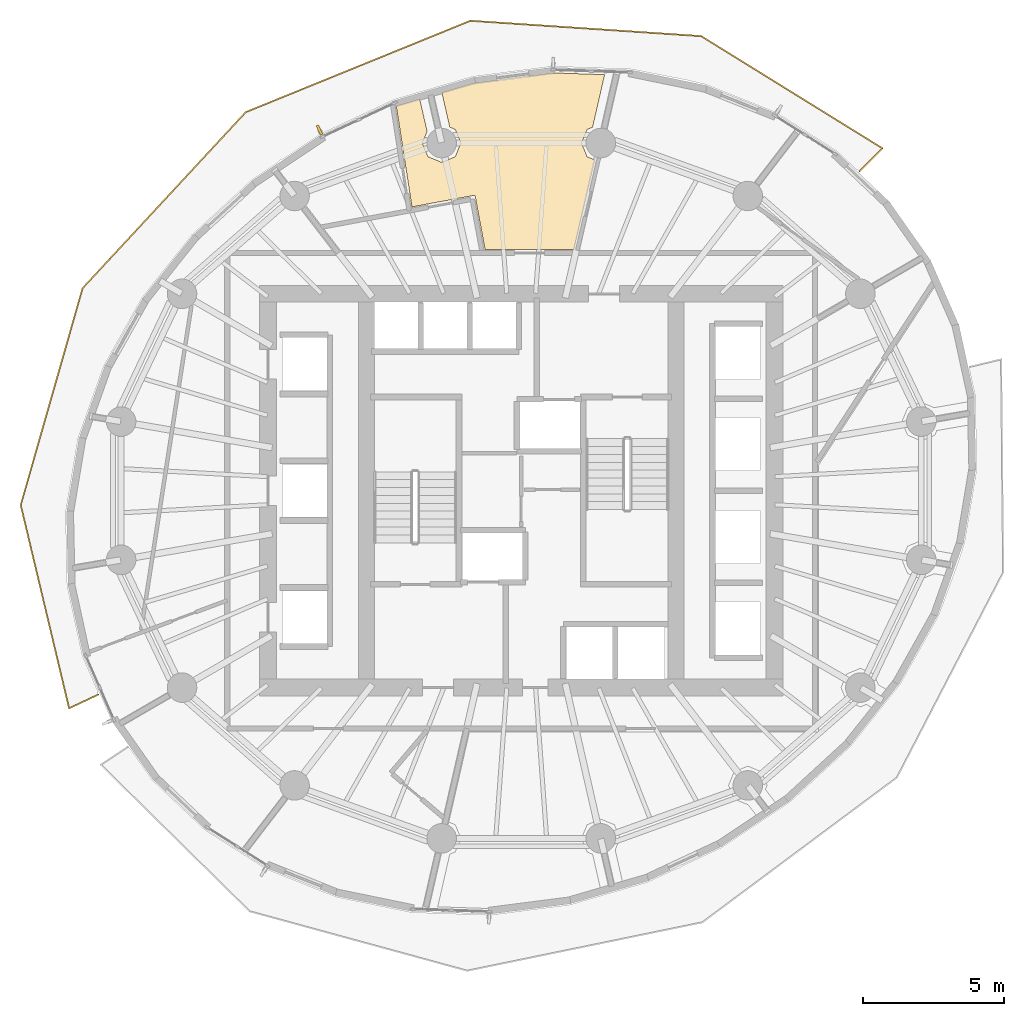
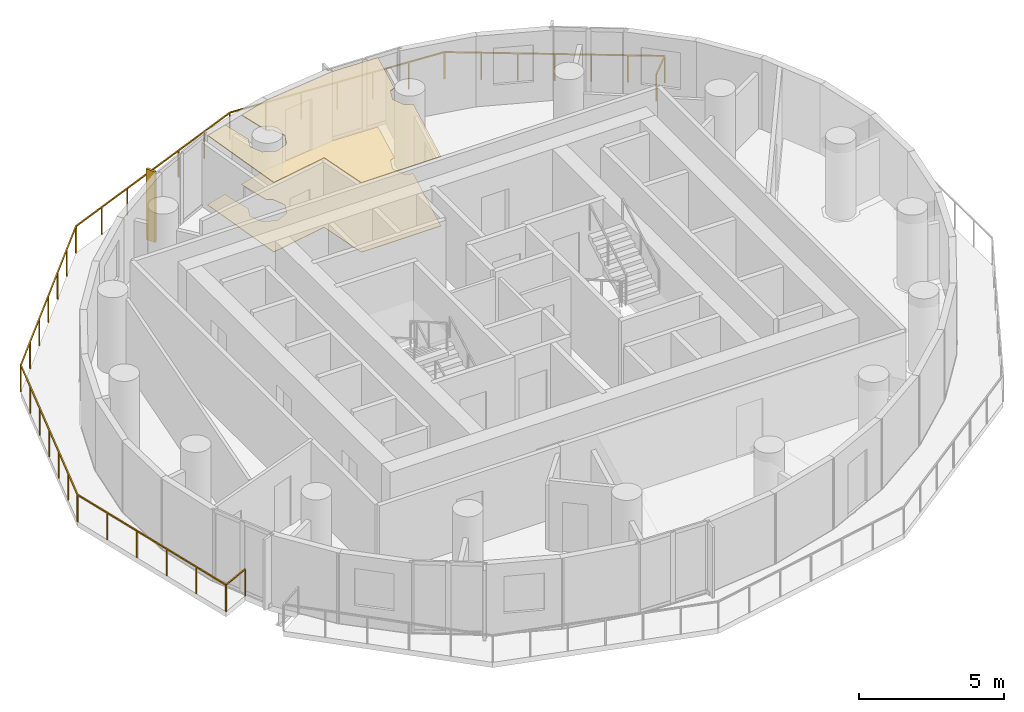
# One storey, part 12 of 13: 2 coverings, 1 railing, 1 shading device.
"""IFC4 building model written with IfcOpenShell, lengths in metres."""

from ifc_helpers import new_model, si_unit, direction, frame, origin, origin_2d, place, context, subcontext, project, spatial, polyline, rectangle, outline, extrude, material, layer, layer_set, type_object, element, save


model = new_model("IFC4")

# Units and contexts
model_context = context("Model", 3, precision=1e-05, world=origin(), true_north=direction((0.0, 1.0)))
body_context = subcontext(model_context, "Body", "Model", "MODEL_VIEW")
ifc_project = project(units=[si_unit("LENGTHUNIT", "METRE"), si_unit("AREAUNIT", "SQUARE_METRE"), si_unit("VOLUMEUNIT", "CUBIC_METRE"), si_unit("PLANEANGLEUNIT", "RADIAN"), si_unit("MASSUNIT", "GRAM", prefix="KILO")], contexts=[model_context])

# Site, building, storey
site_placement = place(None, origin())
site = spatial("IfcSite", under=ifc_project, at=site_placement, CompositionType="ELEMENT")
building_placement = place(site_placement, origin())
building = spatial("IfcBuilding", under=site, at=building_placement, Name="Veldorim Arch Residences", CompositionType="ELEMENT")
storey_placement = place(building_placement, frame((0.0, 0.0, 120.159912109375)))
storey = spatial("IfcBuildingStorey", under=building, at=storey_placement, Name="L35", CompositionType="ELEMENT", Elevation=120.159912109375)

# Railing
ifc_material_1 = material(Name="Aluminium", Category="aluminium")
railing_type = type_object("IfcRailingType", Name="Balcony & Terrace Laminated Glass Balustrade 1150", PredefinedType="BALUSTRADE", material=ifc_material_1)
railing_placement = place(storey_placement, frame((44.03076171875, 35.3583984375, 0.0)))
element("IfcRailing", 1, at=railing_placement, inside=storey, type_object=railing_type, Name="L35 crescent balcony safety balustrade A", PredefinedType="BALUSTRADE", context=body_context, shape_type="SweptSolid", body=[
    extrude(rectangle(XDim=0.048095703125, YDim=0.048095703125, at=origin_2d()), frame((0.0, 0.0, 1.1259765625), z_axis=(0.702848499681, 0.711339571861, 0.0), x_axis=(-0.711339571861, 0.702848499681, 0.0)), (0.0, 0.0, 1.0), 1.150146484375),
    extrude(rectangle(XDim=0.048095703125, YDim=0.048095703125, at=origin_2d()), frame((0.808349609375, 0.818115234375, 1.1259765625), z_axis=(-0.850325578775, 0.526256981028, 0.0), x_axis=(-0.526256981028, -0.850325578775, 0.0)), (0.0, 0.0, 1.0), 7.57568359375),
    extrude(rectangle(XDim=0.048095703125, YDim=0.048095703125, at=origin_2d()), frame((-5.633544921875, 4.804931640625, 1.1259765625), z_axis=(-0.997792641951, 0.066406653791, 0.0), x_axis=(-0.066406653791, -0.997792641951, 0.0)), (0.0, 0.0, 1.0), 8.220458984375),
    extrude(rectangle(XDim=0.048095703125, YDim=0.048095703125, at=origin_2d()), frame((-13.8359375, 5.350830078125, 1.1259765625), z_axis=(-0.926249835661, -0.376910124483, 0.0), x_axis=(0.376910124483, -0.926249835661, 0.0)), (0.0, 0.0, 1.0), 8.622802734375),
    extrude(rectangle(XDim=0.048095703125, YDim=0.048095703125, at=origin_2d()), frame((-21.82275390625, 2.100830078125, 1.1259765625), z_axis=(-0.679775926014, -0.73341985957, 0.0), x_axis=(0.73341985957, -0.679775926014, 0.0)), (0.0, 0.0, 1.0), 8.533447265625),
    extrude(rectangle(XDim=0.048095703125, YDim=0.048095703125, at=origin_2d()), frame((-27.62353515625, -4.15771484375, 1.1259765625), z_axis=(-0.274371317004, -0.961623824791, 0.0), x_axis=(0.961623824791, -0.274371317004, 0.0)), (0.0, 0.0, 1.0), 8.02001953125),
    extrude(rectangle(XDim=0.048095703125, YDim=0.048095703125, at=origin_2d()), frame((-29.823974609375, -11.869873046875, 1.1259765625), z_axis=(0.231547961564, -0.972823489383, 0.0), x_axis=(0.972823489383, 0.231547961564, 0.0)), (0.0, 0.0, 1.0), 7.42919921875),
    extrude(rectangle(XDim=0.048095703125, YDim=0.048095703125, at=origin_2d()), frame((-28.103759765625, -19.09716796875, 1.1259765625), z_axis=(0.904789833178, 0.425858377606, 0.0), x_axis=(-0.425858377606, 0.904789833178, 0.0)), (0.0, 0.0, 1.0), 1.14990234375),
    extrude(rectangle(XDim=0.0419921875, YDim=0.0419921875, at=origin_2d()), origin(), (0.0, 0.0, 1.0), 1.101806640625),
    extrude(rectangle(XDim=0.0419921875, YDim=0.0419921875, at=origin_2d()), frame((0.808349609375, 0.818115234375, 0.0)), (0.0, 0.0, 1.0), 1.101806640625),
    extrude(rectangle(XDim=0.0419921875, YDim=0.0419921875, at=origin_2d()), frame((-0.265380859375, 1.482666015625, 0.0)), (0.0, 0.0, 1.0), 1.101806640625),
    extrude(rectangle(XDim=0.0419921875, YDim=0.0419921875, at=origin_2d()), frame((-1.3388671875, 2.14697265625, 0.0)), (0.0, 0.0, 1.0), 1.101806640625),
    extrude(rectangle(XDim=0.0419921875, YDim=0.0419921875, at=origin_2d()), frame((-2.41259765625, 2.8115234375, 0.0)), (0.0, 0.0, 1.0), 1.101806640625),
    extrude(rectangle(XDim=0.0419921875, YDim=0.0419921875, at=origin_2d()), frame((-3.486328125, 3.47607421875, 0.0)), (0.0, 0.0, 1.0), 1.101806640625),
    extrude(rectangle(XDim=0.0419921875, YDim=0.0419921875, at=origin_2d()), frame((-4.559814453125, 4.140380859375, 0.0)), (0.0, 0.0, 1.0), 1.101806640625),
    extrude(rectangle(XDim=0.0419921875, YDim=0.0419921875, at=origin_2d()), frame((-5.633544921875, 4.804931640625, 0.0)), (0.0, 0.0, 1.0), 1.101806640625),
    extrude(rectangle(XDim=0.0419921875, YDim=0.0419921875, at=origin_2d()), frame((-7.00048828125, 4.89599609375, 0.0)), (0.0, 0.0, 1.0), 1.101806640625),
    extrude(rectangle(XDim=0.0419921875, YDim=0.0419921875, at=origin_2d()), frame((-8.36767578125, 4.98681640625, 0.0)), (0.0, 0.0, 1.0), 1.101806640625),
    extrude(rectangle(XDim=0.0419921875, YDim=0.0419921875, at=origin_2d()), frame((-9.73486328125, 5.077880859375, 0.0)), (0.0, 0.0, 1.0), 1.101806640625),
    extrude(rectangle(XDim=0.0419921875, YDim=0.0419921875, at=origin_2d()), frame((-11.101806640625, 5.1689453125, 0.0)), (0.0, 0.0, 1.0), 1.101806640625),
    extrude(rectangle(XDim=0.0419921875, YDim=0.0419921875, at=origin_2d()), frame((-12.46875, 5.259765625, 0.0)), (0.0, 0.0, 1.0), 1.101806640625),
    extrude(rectangle(XDim=0.0419921875, YDim=0.0419921875, at=origin_2d()), frame((-13.8359375, 5.350830078125, 0.0)), (0.0, 0.0, 1.0), 1.101806640625),
    extrude(rectangle(XDim=0.0419921875, YDim=0.0419921875, at=origin_2d()), frame((-15.1669921875, 4.80908203125, 0.0)), (0.0, 0.0, 1.0), 1.101806640625),
    extrude(rectangle(XDim=0.0419921875, YDim=0.0419921875, at=origin_2d()), frame((-16.498291015625, 4.267578125, 0.0)), (0.0, 0.0, 1.0), 1.101806640625),
    extrude(rectangle(XDim=0.0419921875, YDim=0.0419921875, at=origin_2d()), frame((-17.829345703125, 3.725830078125, 0.0)), (0.0, 0.0, 1.0), 1.101806640625),
    extrude(rectangle(XDim=0.0419921875, YDim=0.0419921875, at=origin_2d()), frame((-19.160400390625, 3.18408203125, 0.0)), (0.0, 0.0, 1.0), 1.101806640625),
    extrude(rectangle(XDim=0.0419921875, YDim=0.0419921875, at=origin_2d()), frame((-20.49169921875, 2.642578125, 0.0)), (0.0, 0.0, 1.0), 1.101806640625),
    extrude(rectangle(XDim=0.0419921875, YDim=0.0419921875, at=origin_2d()), frame((-21.82275390625, 2.100830078125, 0.0)), (0.0, 0.0, 1.0), 1.101806640625),
    extrude(rectangle(XDim=0.0419921875, YDim=0.0419921875, at=origin_2d()), frame((-22.78955078125, 1.0576171875, 0.0)), (0.0, 0.0, 1.0), 1.101806640625),
    extrude(rectangle(XDim=0.0419921875, YDim=0.0419921875, at=origin_2d()), frame((-23.75634765625, 0.0146484375, 0.0)), (0.0, 0.0, 1.0), 1.101806640625),
    extrude(rectangle(XDim=0.0419921875, YDim=0.0419921875, at=origin_2d()), frame((-24.72314453125, -1.0283203125, 0.0)), (0.0, 0.0, 1.0), 1.101806640625),
    extrude(rectangle(XDim=0.0419921875, YDim=0.0419921875, at=origin_2d()), frame((-25.68994140625, -2.071533203125, 0.0)), (0.0, 0.0, 1.0), 1.101806640625),
    extrude(rectangle(XDim=0.0419921875, YDim=0.0419921875, at=origin_2d()), frame((-26.65673828125, -3.11474609375, 0.0)), (0.0, 0.0, 1.0), 1.101806640625),
    extrude(rectangle(XDim=0.0419921875, YDim=0.0419921875, at=origin_2d()), frame((-27.62353515625, -4.15771484375, 0.0)), (0.0, 0.0, 1.0), 1.101806640625),
    extrude(rectangle(XDim=0.0419921875, YDim=0.0419921875, at=origin_2d()), frame((-27.990234375, -5.443115234375, 0.0)), (0.0, 0.0, 1.0), 1.101806640625),
    extrude(rectangle(XDim=0.0419921875, YDim=0.0419921875, at=origin_2d()), frame((-28.35693359375, -6.728515625, 0.0)), (0.0, 0.0, 1.0), 1.101806640625),
    extrude(rectangle(XDim=0.0419921875, YDim=0.0419921875, at=origin_2d()), frame((-28.7236328125, -8.013671875, 0.0)), (0.0, 0.0, 1.0), 1.101806640625),
    extrude(rectangle(XDim=0.0419921875, YDim=0.0419921875, at=origin_2d()), frame((-29.090576171875, -9.299072265625, 0.0)), (0.0, 0.0, 1.0), 1.101806640625),
    extrude(rectangle(XDim=0.0419921875, YDim=0.0419921875, at=origin_2d()), frame((-29.457275390625, -10.58447265625, 0.0)), (0.0, 0.0, 1.0), 1.101806640625),
    extrude(rectangle(XDim=0.0419921875, YDim=0.0419921875, at=origin_2d()), frame((-29.823974609375, -11.869873046875, 0.0)), (0.0, 0.0, 1.0), 1.101806640625),
    extrude(rectangle(XDim=0.0419921875, YDim=0.0419921875, at=origin_2d()), frame((-29.47998046875, -13.3154296875, 0.0)), (0.0, 0.0, 1.0), 1.101806640625),
    extrude(rectangle(XDim=0.0419921875, YDim=0.0419921875, at=origin_2d()), frame((-29.135986328125, -14.7607421875, 0.0)), (0.0, 0.0, 1.0), 1.101806640625),
    extrude(rectangle(XDim=0.0419921875, YDim=0.0419921875, at=origin_2d()), frame((-28.791748046875, -16.206298828125, 0.0)), (0.0, 0.0, 1.0), 1.101806640625),
    extrude(rectangle(XDim=0.0419921875, YDim=0.0419921875, at=origin_2d()), frame((-28.44775390625, -17.651611328125, 0.0)), (0.0, 0.0, 1.0), 1.101806640625),
    extrude(rectangle(XDim=0.0419921875, YDim=0.0419921875, at=origin_2d()), frame((-28.103759765625, -19.09716796875, 0.0)), (0.0, 0.0, 1.0), 1.101806640625),
    extrude(rectangle(XDim=0.0419921875, YDim=0.0419921875, at=origin_2d()), frame((-27.063232421875, -18.607421875, 0.0)), (0.0, 0.0, 1.0), 1.101806640625),
])

# Coverings
ifc_material_2 = material(Name="Acoustic Gypsum & Mineral Fibre", Category="gypsum")
ifc_layer_1 = layer(ifc_material_2, 0.034912109375, Name="Perforated Acoustic Mineral-Fibre Ceiling 35")
ifc_layer_set_1 = layer_set([ifc_layer_1], Name="Acoustic Gypsum & Mineral Fibre")
covering_type_1 = type_object("IfcCoveringType", Name="Perforated Acoustic Mineral-Fibre Ceiling 35", PredefinedType="CEILING", material=ifc_layer_set_1)
covering_1_placement = place(storey_placement, frame((0.0, 0.0, 2.905029296875)))
element("IfcCovering", 2, at=covering_1_placement, inside=storey, type_object=covering_type_1, Name="L35 acoustic suspended ceiling 02", PredefinedType="CEILING", context=body_context, shape_type="SweptSolid", body=[
    extrude(outline(polyline([(28.657470703125, 36.770751953125), (28.486328125, 36.35791015625), (28.68701171875, 35.87353515625), (29.171142578125, 35.673095703125), (29.655517578125, 35.87353515625), (29.856201171875, 36.35791015625), (29.655517578125, 36.84228515625), (29.461181640625, 36.922607421875), (29.177734375, 38.1611328125), (30.319091796875, 38.49462890625), (33.111083984375, 38.85400390625), (34.966552734375, 38.791259765625), (34.538818359375, 36.922607421875), (34.344482421875, 36.84228515625), (34.143798828125, 36.35791015625), (34.344482421875, 35.87353515625), (34.622802734375, 35.75830078125), (33.878173828125, 32.570068359375), (30.71728515625, 32.570068359375), (30.3583984375, 34.5048828125), (28.117919921875, 34.08935546875), (27.559326171875, 37.685302734375), (28.3916015625, 37.931396484375), (28.657470703125, 36.770751953125)])), origin(), (0.0, 0.0, 1.0), 0.03515625),
])
ifc_material_3 = material(Name="Porcelain Ceramic Tile", Category="ceramic")
ifc_layer_2 = layer(ifc_material_3, 0.02001953125, Name="Slip-Resistant Porcelain & Vinyl Floor Finish 20")
ifc_layer_set_2 = layer_set([ifc_layer_2], Name="Porcelain Ceramic Tile")
covering_type_2 = type_object("IfcCoveringType", Name="Slip-Resistant Porcelain & Vinyl Floor Finish 20", PredefinedType="FLOORING", material=ifc_layer_set_2)
covering_2_placement = place(storey_placement, origin())
element("IfcCovering", 3, at=covering_2_placement, inside=storey, type_object=covering_type_2, Name="L35 porcelain floor finish 02", PredefinedType="FLOORING", context=body_context, shape_type="SweptSolid", body=[
    extrude(outline(polyline([(28.657470703125, 36.770751953125), (28.486328125, 36.35791015625), (28.68701171875, 35.87353515625), (29.171142578125, 35.673095703125), (29.655517578125, 35.87353515625), (29.856201171875, 36.35791015625), (29.655517578125, 36.84228515625), (29.461181640625, 36.922607421875), (29.177734375, 38.1611328125), (30.319091796875, 38.49462890625), (33.111083984375, 38.85400390625), (34.966552734375, 38.791259765625), (34.538818359375, 36.922607421875), (34.344482421875, 36.84228515625), (34.143798828125, 36.35791015625), (34.344482421875, 35.87353515625), (34.622802734375, 35.75830078125), (33.878173828125, 32.570068359375), (30.71728515625, 32.570068359375), (30.3583984375, 34.5048828125), (28.117919921875, 34.08935546875), (27.559326171875, 37.685302734375), (28.3916015625, 37.931396484375), (28.657470703125, 36.770751953125)])), origin(), (0.0, 0.0, 1.0), 0.02001953125),
])

# Shading device
ifc_material_4 = material(Name="Terracotta Ceramic", Category="masonry")
ifc_layer_3 = layer(ifc_material_4, 0.090087890625, Name="Vertical Extruded Terracotta Baguette Sun-Shading Fin")
ifc_layer_set_3 = layer_set([ifc_layer_3], Name="Terracotta Ceramic")
shading_device_type = type_object("IfcShadingDeviceType", Name="Vertical Extruded Terracotta Baguette Sun-Shading Fin", PredefinedType="USERDEFINED", material=ifc_layer_set_3)
shading_device_placement = place(storey_placement, frame((24.82958984375, 36.823486328125, 0.0), z_axis=(0.0, 0.0, 1.0), x_axis=(0.90593863798, 0.423409003465, 0.0)))
element("IfcShadingDevice", 4, at=shading_device_placement, inside=storey, type_object=shading_device_type, Name="L35 vertical terracotta sun-shading fin 09", ObjectType="FIN", PredefinedType="USERDEFINED", context=body_context, shape_type="SweptSolid", body=[
    extrude(rectangle(XDim=0.090087890625, YDim=0.360107421875, at=origin_2d()), origin(), (0.0, 0.0, 1.0), 2.9599609375),
])

save(model, "model.ifc")
